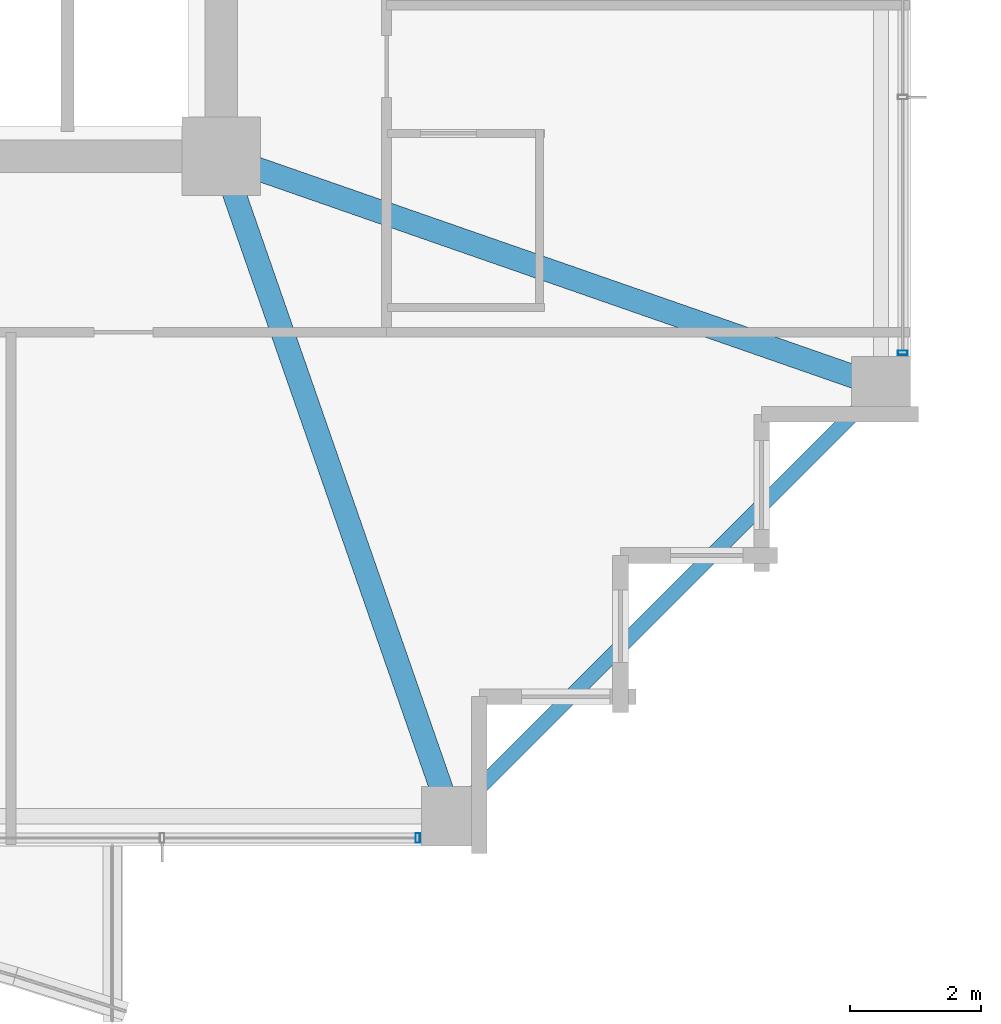
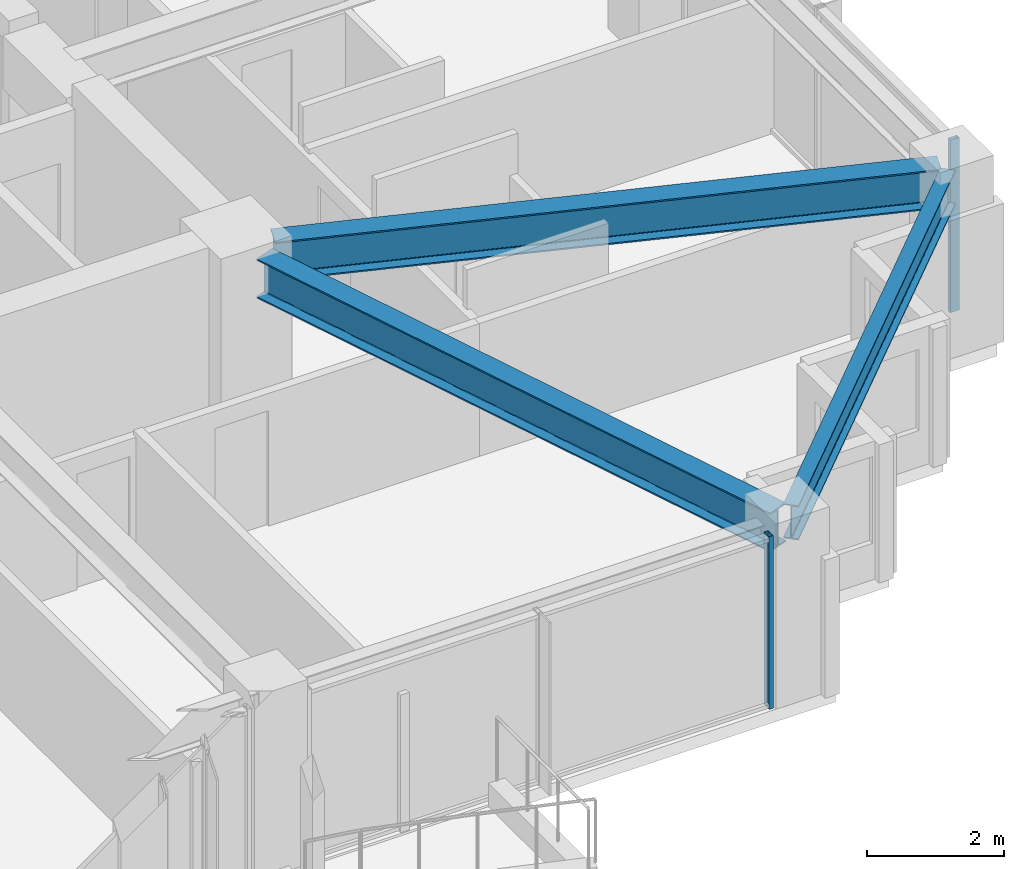
# One storey, part 12 of 37: 3 beams, 2 members, 2 elements without a shape of their own.
"""IFC4 building model written with IfcOpenShell, lengths in metres."""

from ifc_helpers import new_model, si_unit, direction, frame, origin, origin_2d, place, context, subcontext, project, spatial, hollow_rectangle, i_section, extrude, material, material_profile, profile_set, type_object, element, aggregate, save


model = new_model("IFC4")

# Units and contexts
model_context = context("Model", 3, precision=1e-05, world=origin(), true_north=direction((0.0, 1.0)))
body_context = subcontext(model_context, "Body", "Model", "MODEL_VIEW")
ifc_project = project(units=[si_unit("LENGTHUNIT", "METRE"), si_unit("AREAUNIT", "SQUARE_METRE"), si_unit("VOLUMEUNIT", "CUBIC_METRE"), si_unit("PLANEANGLEUNIT", "RADIAN"), si_unit("MASSUNIT", "GRAM", prefix="KILO")], contexts=[model_context])

# Site, building, storey
site_placement = place(None, origin())
site = spatial("IfcSite", under=ifc_project, at=site_placement, CompositionType="ELEMENT")
building_placement = place(site_placement, origin())
building = spatial("IfcBuilding", under=site, at=building_placement, Name="Kolvaren Belvedere", CompositionType="ELEMENT")
storey_placement = place(building_placement, frame((0.0, 0.0, 173.39990234375)))
storey = spatial("IfcBuildingStorey", under=building, at=storey_placement, Name="L50", CompositionType="ELEMENT", Elevation=173.39990234375)

# Beams
ifc_material_1 = material(Name="Structural steel ASTM A992 Grade 50", Category="steel")
ifc_material_profile_1 = material_profile(ifc_material_1, i_section(OverallWidth=0.35498046875, OverallDepth=0.696044921875, WebThickness=0.015380859375, FlangeThickness=0.02490234375, FilletRadius=0.02197265625, at=origin_2d()), Name="W27X146")
ifc_profile_set_1 = profile_set([ifc_material_profile_1], Name="Structural steel ASTM A992 Grade 50")
beam_type_1 = type_object("IfcBeamType", Name="BM-GIRD-W27X146", PredefinedType="BEAM", material=ifc_profile_set_1)
for number, where, z_axis, x_axis, name in (
    (1, (10.080810546875, -10.41943359375, 2.732177734375), (0.328894130701, -0.944366798861, 0.0), (0.944366798861, 0.328894130701, 0.0), "L50 Corner Core-to-Perimeter Girder CC2-S4"),
    (2, (10.41943359375, -10.080810546875, 2.732177734375), (0.944366798861, -0.328894130701, 0.0), (0.328894130701, 0.944366798861, 0.0), "L50 Corner Core-to-Perimeter Girder CC2-E1"),
):
    element("IfcBeam", number, at=place(storey_placement, frame(where, z_axis=z_axis, x_axis=x_axis)), inside=storey, type_object=beam_type_1, Name=name, PredefinedType="BEAM", context=body_context, shape_type="SweptSolid", body=[
        extrude(i_section(OverallWidth=0.35498046875, OverallDepth=0.696044921875, WebThickness=0.015380859375, FlangeThickness=0.02490234375, FilletRadius=0.02197265625, at=origin_2d()), origin(), (0.0, 0.0, 1.0), 9.912109375),
    ])
ifc_material_2 = material(Name="Structural steel ASTM A992 Grade 50", Category="steel")
ifc_material_profile_2 = material_profile(ifc_material_2, i_section(OverallWidth=0.22900390625, OverallDepth=0.612060546875, WebThickness=0.011962890625, FlangeThickness=0.01953125, FilletRadius=0.01806640625, at=origin_2d()), Name="W24X84")
ifc_profile_set_2 = profile_set([ifc_material_profile_2], Name="Structural steel ASTM A992 Grade 50")
beam_type_2 = type_object("IfcBeamType", Name="BM-SPAN-W24X84", PredefinedType="SPANDREL", material=ifc_profile_set_2)
beam_placement = place(storey_placement, frame((13.543212890625, -19.806884765625, 2.774169921875), z_axis=(0.707106781187, 0.707106781187, 0.0), x_axis=(-0.707106781187, 0.707106781187, 0.0)))
element("IfcBeam", 3, at=beam_placement, inside=storey, type_object=beam_type_2, Name="L50 Perimeter Spandrel S4-E1", PredefinedType="SPANDREL", context=body_context, shape_type="SweptSolid", body=[
    extrude(i_section(OverallWidth=0.22900390625, OverallDepth=0.612060546875, WebThickness=0.011962890625, FlangeThickness=0.01953125, FilletRadius=0.01806640625, at=origin_2d()), origin(), (0.0, 0.0, 1.0), 8.858154296875),
])

# Curtain wall, member
ifc_material_3 = material(Name="Anodised pale-metal aluminium AA 6063-T6", Category="aluminium")
curtain_wall_type = type_object("IfcCurtainWallType", Name="CW-Z5-HIGH", PredefinedType="NOTDEFINED", material=ifc_material_3)
curtain_wall_1_placement = place(storey_placement, origin())
curtain_wall_1 = element("IfcCurtainWall", 4, at=curtain_wall_1_placement, inside=storey, type_object=curtain_wall_type, Name="L50 Unitised Curtain Wall FCW-L50-S1-B1", PredefinedType="NOTDEFINED")
ifc_material_4 = material(Name="Anodised pale-metal aluminium AA 6063-T6", Category="aluminium")
ifc_material_profile_3 = material_profile(ifc_material_4, hollow_rectangle(XDim=0.070068359375, YDim=0.14990234375, WallThickness=0.004150390625, at=origin_2d()), Name="ALU-MUL-150X70")
ifc_profile_set_3 = profile_set([ifc_material_profile_3], Name="Anodised pale-metal aluminium AA 6063-T6")
member_type = type_object("IfcMemberType", Name="CW-MUL-150", PredefinedType="MULLION", material=ifc_profile_set_3)
member_1_placement = place(storey_placement, frame((12.89501953125, -20.280029296875, 0.0), z_axis=(0.0, 0.0, 1.0), x_axis=(1.0, 0.0, 0.0)))
member_1 = element("IfcMember", 5, at=member_1_placement, type_object=member_type, Name="FCW-L50-S1-B1 Unitised Mullion 1", PredefinedType="MULLION", context=body_context, shape_type="SweptSolid", body=[
    extrude(hollow_rectangle(XDim=0.070068359375, YDim=0.14990234375, WallThickness=0.004150390625, at=origin_2d()), origin(), (0.0, 0.0, 1.0), 3.080078125),
])
aggregate(curtain_wall_1, [member_1])

curtain_wall_2_placement = place(storey_placement, origin())
curtain_wall_2 = element("IfcCurtainWall", 6, at=curtain_wall_2_placement, inside=storey, type_object=curtain_wall_type, Name="L50 Unitised Curtain Wall FCW-L50-E-B3", PredefinedType="NOTDEFINED")
member_2_placement = place(storey_placement, frame((20.280029296875, -12.89501953125, 0.0), z_axis=(0.0, 0.0, 1.0), x_axis=(0.0, 1.0, 0.0)))
member_2 = element("IfcMember", 7, at=member_2_placement, type_object=member_type, Name="FCW-L50-E-B3 Unitised Mullion 3", PredefinedType="MULLION", context=body_context, shape_type="SweptSolid", body=[
    extrude(hollow_rectangle(XDim=0.070068359375, YDim=0.14990234375, WallThickness=0.004150390625, at=origin_2d()), origin(), (0.0, 0.0, 1.0), 3.080078125),
])
aggregate(curtain_wall_2, [member_2])

save(model, "model.ifc")
